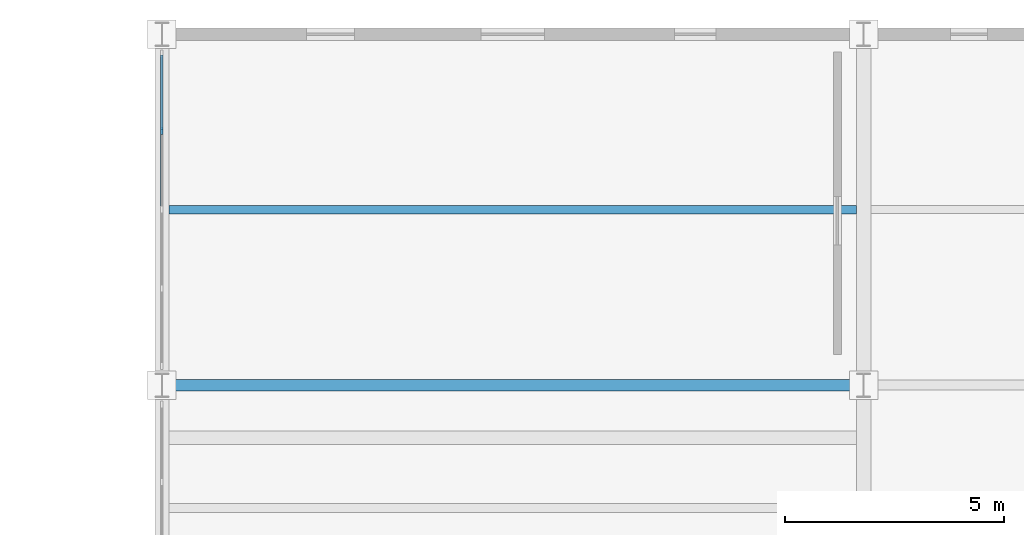
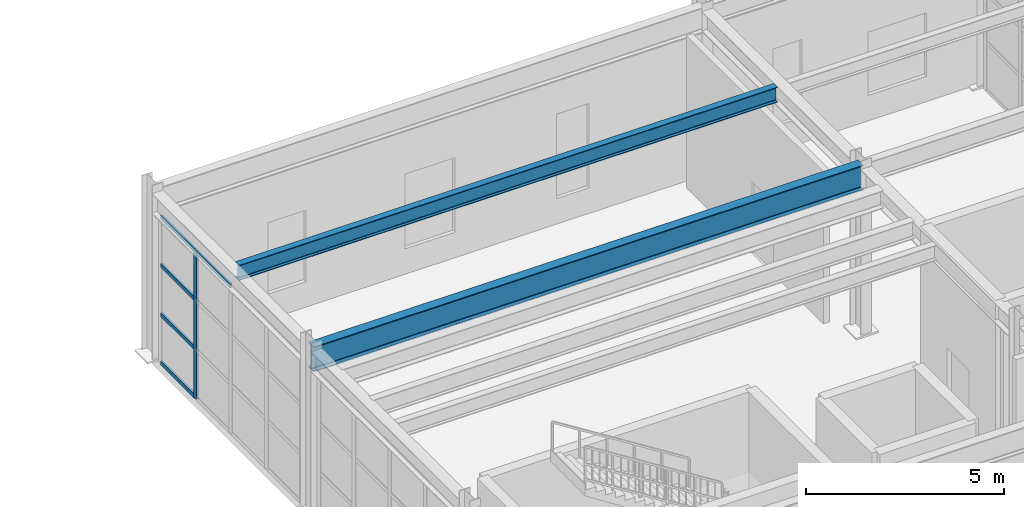
# One storey, part 34 of 82: 6 members, 2 beams, 1 element without a shape of its own.
"""IFC4 building model written with IfcOpenShell, lengths in metres."""

from ifc_helpers import new_model, si_unit, direction, frame, origin, origin_2d, place, context, subcontext, project, spatial, rectangle, i_section, extrude, material, material_profile, profile_set, type_object, element, aggregate, save


model = new_model("IFC4")

# Units and contexts
model_context = context("Model", 3, precision=1e-05, world=origin(), true_north=direction((0.0, 1.0)))
body_context = subcontext(model_context, "Body", "Model", "MODEL_VIEW")
ifc_project = project(units=[si_unit("LENGTHUNIT", "METRE"), si_unit("AREAUNIT", "SQUARE_METRE"), si_unit("VOLUMEUNIT", "CUBIC_METRE"), si_unit("PLANEANGLEUNIT", "RADIAN"), si_unit("MASSUNIT", "GRAM", prefix="KILO")], contexts=[model_context])

# Site, building, storey
site_placement = place(None, origin())
site = spatial("IfcSite", under=ifc_project, at=site_placement, CompositionType="ELEMENT")
building_placement = place(site_placement, origin())
building = spatial("IfcBuilding", under=site, at=building_placement, Name="Serraluz Foothill Cableway Terminal", CompositionType="ELEMENT")
storey_placement = place(building_placement, frame((0.0, 0.0, 9.60009765625)))
storey = spatial("IfcBuildingStorey", under=building, at=storey_placement, Name="L02", CompositionType="ELEMENT", Elevation=9.60009765625)

# Beam
ifc_material_1 = material(Name="Steel ASTM A992 Grade 50", Category="steel")
ifc_material_profile_1 = material_profile(ifc_material_1, i_section(OverallWidth=0.26806640625, OverallDepth=0.77001953125, WebThickness=0.015625, FlangeThickness=0.025390625, FilletRadius=0.02197265625, at=origin_2d()), Name="W30X132")
ifc_profile_set_1 = profile_set([ifc_material_profile_1], Name="Steel ASTM A992 Grade 50")
beam_type_1 = type_object("IfcBeamType", Name="TYP-BM-W30X132", PredefinedType="BEAM", material=ifc_profile_set_1)
beam_1_placement = place(storey_placement, frame((80.0048828125, 88.0, 4.764892578125), z_axis=(1.0, 0.0, 0.0), x_axis=(0.0, 1.0, 0.0)))
element("IfcBeam", 1, at=beam_1_placement, inside=storey, type_object=beam_type_1, Name="Primary Girder BM-X-L02-0318", PredefinedType="BEAM", context=body_context, shape_type="SweptSolid", body=[
    extrude(i_section(OverallWidth=0.26806640625, OverallDepth=0.77001953125, WebThickness=0.015625, FlangeThickness=0.025390625, FilletRadius=0.02197265625, at=origin_2d()), origin(), (0.0, 0.0, 1.0), 15.990234375),
])

# Curtain wall, members
ifc_material_2 = material(Name="Architectural bronze alloy C28000", Category="aluminium")
curtain_wall_type = type_object("IfcCurtainWallType", Name="TYP-CW-680X420", PredefinedType="NOTDEFINED", material=ifc_material_2)
curtain_wall_placement = place(storey_placement, origin())
curtain_wall = element("IfcCurtainWall", 2, at=curtain_wall_placement, inside=storey, type_object=curtain_wall_type, Name="Ribbed Glazed Curtain Wall CW-V4W-L02-88", PredefinedType="NOTDEFINED")
ifc_material_profile_2 = material_profile(ifc_material_2, rectangle(XDim=0.06005859375, YDim=0.159912109375, at=origin_2d()), Name="ALU MULLION 60x160")
ifc_profile_set_2 = profile_set([ifc_material_profile_2], Name="Architectural bronze alloy C28000")
member_type_1 = type_object("IfcMemberType", Name="TYP-CW-MUL-60X160", PredefinedType="MULLION", material=ifc_profile_set_2)
member_1_placement = place(storey_placement, frame((80.0, 93.794189453125, 0.0), z_axis=(0.0, 0.0, 1.0), x_axis=(-1.0, 0.0, 0.0)))
member_1 = element("IfcMember", 3, at=member_1_placement, type_object=member_type_1, Name="CW-13 mullion 4", PredefinedType="MULLION", context=body_context, shape_type="SweptSolid", body=[
    extrude(rectangle(XDim=0.06005859375, YDim=0.159912109375, at=origin_2d()), origin(), (0.0, 0.0, 1.0), 4.5439453125),
])
ifc_material_profile_3 = material_profile(ifc_material_2, rectangle(XDim=0.06005859375, YDim=0.1201171875, at=origin_2d()), Name="ALU TRANSOM 60x120")
ifc_profile_set_3 = profile_set([ifc_material_profile_3], Name="Architectural bronze alloy C28000")
member_type_2 = type_object("IfcMemberType", Name="TYP-CW-TRN-60X120", PredefinedType="USERDEFINED", material=ifc_profile_set_3)
member_2_placement = place(storey_placement, frame((80.0, 92.030029296875, 4.513916015625), z_axis=(0.0, 1.0, 0.0), x_axis=(-1.0, 0.0, 0.0)))
member_2 = element("IfcMember", 4, at=member_2_placement, type_object=member_type_2, Name="CW-13 transom 3.4", ObjectType="TRANSOM", PredefinedType="USERDEFINED", context=body_context, shape_type="SweptSolid", body=[
    extrude(rectangle(XDim=0.06005859375, YDim=0.1201171875, at=origin_2d()), origin(), (0.0, 0.0, 1.0), 1.734130859375),
])
member_3_placement = place(storey_placement, frame((80.0, 93.82421875, 0.02978515625), z_axis=(0.0, 1.0, 0.0), x_axis=(-1.0, 0.0, 0.0)))
member_3 = element("IfcMember", 5, at=member_3_placement, type_object=member_type_2, Name="CW-13 transom 4.1", ObjectType="TRANSOM", PredefinedType="USERDEFINED", context=body_context, shape_type="SweptSolid", body=[
    extrude(rectangle(XDim=0.06005859375, YDim=0.1201171875, at=origin_2d()), origin(), (0.0, 0.0, 1.0), 1.704345703125),
])
member_4_placement = place(storey_placement, frame((80.0, 93.82421875, 1.5146484375), z_axis=(0.0, 1.0, 0.0), x_axis=(-1.0, 0.0, 0.0)))
member_4 = element("IfcMember", 6, at=member_4_placement, type_object=member_type_2, Name="CW-13 transom 4.2", ObjectType="TRANSOM", PredefinedType="USERDEFINED", context=body_context, shape_type="SweptSolid", body=[
    extrude(rectangle(XDim=0.06005859375, YDim=0.1201171875, at=origin_2d()), origin(), (0.0, 0.0, 1.0), 1.704345703125),
])
member_5_placement = place(storey_placement, frame((80.0, 93.82421875, 3.029296875), z_axis=(0.0, 1.0, 0.0), x_axis=(-1.0, 0.0, 0.0)))
member_5 = element("IfcMember", 7, at=member_5_placement, type_object=member_type_2, Name="CW-13 transom 4.3", ObjectType="TRANSOM", PredefinedType="USERDEFINED", context=body_context, shape_type="SweptSolid", body=[
    extrude(rectangle(XDim=0.06005859375, YDim=0.1201171875, at=origin_2d()), origin(), (0.0, 0.0, 1.0), 1.704345703125),
])
member_6_placement = place(storey_placement, frame((80.0, 93.82421875, 4.513916015625), z_axis=(0.0, 1.0, 0.0), x_axis=(-1.0, 0.0, 0.0)))
member_6 = element("IfcMember", 8, at=member_6_placement, type_object=member_type_2, Name="CW-13 transom 4.4", ObjectType="TRANSOM", PredefinedType="USERDEFINED", context=body_context, shape_type="SweptSolid", body=[
    extrude(rectangle(XDim=0.06005859375, YDim=0.1201171875, at=origin_2d()), origin(), (0.0, 0.0, 1.0), 1.704345703125),
])
aggregate(curtain_wall, [member_1, member_2, member_3, member_4, member_5, member_6])

# Beam
ifc_material_profile_4 = material_profile(ifc_material_1, i_section(OverallWidth=0.193115234375, OverallDepth=0.467041015625, WebThickness=0.011474609375, FlangeThickness=0.01904296875, FilletRadius=0.014892578125, at=origin_2d()), Name="W18X65")
ifc_profile_set_4 = profile_set([ifc_material_profile_4], Name="Steel ASTM A992 Grade 50")
beam_type_2 = type_object("IfcBeamType", Name="TYP-JS-W18X65", PredefinedType="JOIST", material=ifc_profile_set_4)
beam_2_placement = place(storey_placement, frame((80.16748046875, 92.0, 4.926513671875), z_axis=(1.0, 0.0, 0.0), x_axis=(0.0, 1.0, 0.0)))
element("IfcBeam", 9, at=beam_2_placement, inside=storey, type_object=beam_type_2, Name="Secondary Floor Joist JS-L02-0129", PredefinedType="JOIST", context=body_context, shape_type="SweptSolid", body=[
    extrude(i_section(OverallWidth=0.193115234375, OverallDepth=0.467041015625, WebThickness=0.011474609375, FlangeThickness=0.01904296875, FilletRadius=0.014892578125, at=origin_2d()), origin(), (0.0, 0.0, 1.0), 15.6650390625),
])

save(model, "model.ifc")
